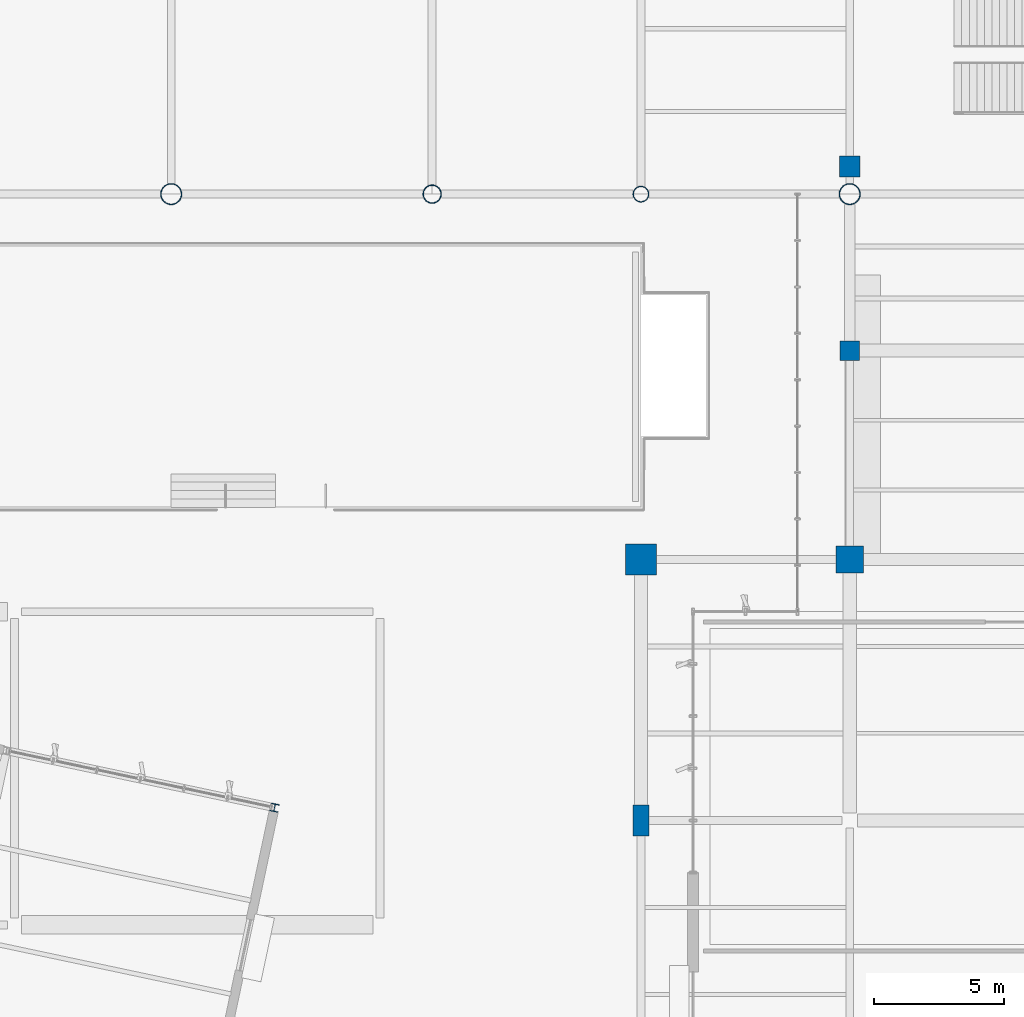
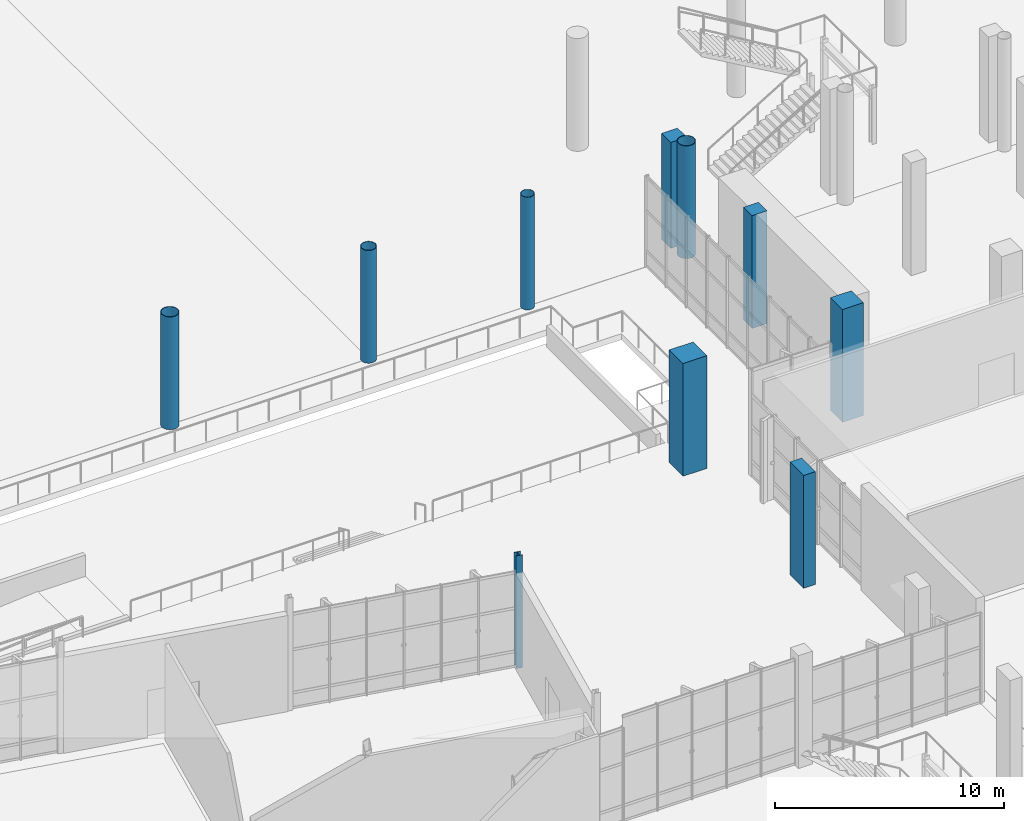
# One storey, part 10 of 163: 10 columns.
"""IFC4 building model written with IfcOpenShell, lengths in metres."""

from ifc_helpers import new_model, si_unit, direction, frame, origin, origin_2d, place, context, subcontext, project, spatial, rectangle, hollow_circle, i_section, extrude, material, material_profile, profile_set, type_object, element, save


model = new_model("IFC4")

# Units and contexts
model_context = context("Model", 3, precision=1e-05, world=origin(), true_north=direction((0.0, 1.0)))
body_context = subcontext(model_context, "Body", "Model", "MODEL_VIEW")
ifc_project = project(units=[si_unit("LENGTHUNIT", "METRE"), si_unit("AREAUNIT", "SQUARE_METRE"), si_unit("VOLUMEUNIT", "CUBIC_METRE"), si_unit("PLANEANGLEUNIT", "RADIAN"), si_unit("MASSUNIT", "GRAM", prefix="KILO")], contexts=[model_context])

# Site, building, storey
site_placement = place(None, origin())
site = spatial("IfcSite", under=ifc_project, at=site_placement, CompositionType="ELEMENT")
building_placement = place(site_placement, origin())
building = spatial("IfcBuilding", under=site, at=building_placement, Name="Khorjan Park Terminus", CompositionType="ELEMENT")
storey_placement = place(building_placement, origin())
storey = spatial("IfcBuildingStorey", under=building, at=storey_placement, Name="L00", CompositionType="ELEMENT", Elevation=0.0)

# Columns
ifc_material_1 = material(Name="Concrete C50/60", Category="concrete")
ifc_material_profile_1 = material_profile(ifc_material_1, rectangle(XDim=0.6, YDim=1.2, at=origin_2d()), Name="RC 600x1200")
ifc_profile_set_1 = profile_set([ifc_material_profile_1], Name="Concrete C50/60")
column_type_1 = type_object("IfcColumnType", Name="COL-BL1200", PredefinedType="COLUMN", material=ifc_profile_set_1)
column_1_placement = place(storey_placement, frame((48.0, 78.0, 0.0), z_axis=(0.0, 0.0, 1.0), x_axis=(1.0, 0.0, 0.0)))
element("IfcColumn", 1, at=column_1_placement, inside=storey, type_object=column_type_1, Name="Structural column C-BL12 (L00 #261)", PredefinedType="COLUMN", context=body_context, shape_type="SweptSolid", body=[
    extrude(rectangle(XDim=0.6, YDim=1.2, at=origin_2d()), origin(), (0.0, 0.0, 1.0), 6.0),
])
ifc_material_2 = material(Name="Steel S355", Category="steel")
ifc_material_profile_2 = material_profile(ifc_material_2, i_section(OverallWidth=0.3, OverallDepth=0.3, WebThickness=0.011, FlangeThickness=0.019, FilletRadius=0.027, at=origin_2d()), Name="HEB 300")
ifc_profile_set_2 = profile_set([ifc_material_profile_2], Name="Steel S355")
column_type_2 = type_object("IfcColumnType", Name="COL-HB300E", PredefinedType="COLUMN", material=ifc_profile_set_2)
column_2_placement = place(storey_placement, frame((33.96, 78.489, 0.0), z_axis=(0.0, 0.0, 1.0), x_axis=(0.978147600734, -0.207911690818, 0.0)))
element("IfcColumn", 2, at=column_2_placement, inside=storey, type_object=column_type_2, Name="Structural column SC-H30 (L00 #651)", PredefinedType="COLUMN", context=body_context, shape_type="SweptSolid", body=[
    extrude(i_section(OverallWidth=0.3, OverallDepth=0.3, WebThickness=0.011, FlangeThickness=0.019, FilletRadius=0.027, at=origin_2d()), origin(), (0.0, 0.0, 1.0), 6.0),
])
ifc_material_profile_3 = material_profile(ifc_material_1, rectangle(XDim=1.05, YDim=1.05, at=origin_2d()), Name="RC 1050x1050")
ifc_profile_set_3 = profile_set([ifc_material_profile_3], Name="Concrete C50/60")
column_type_3 = type_object("IfcColumnType", Name="COL-RC1050", PredefinedType="COLUMN", material=ifc_profile_set_3)
column_3_placement = place(storey_placement, frame((56.0, 88.0, 0.0), z_axis=(0.0, 0.0, 1.0), x_axis=(1.0, 0.0, 0.0)))
element("IfcColumn", 3, at=column_3_placement, inside=storey, type_object=column_type_3, Name="Structural column C-RC105 (L00 #281)", PredefinedType="COLUMN", context=body_context, shape_type="SweptSolid", body=[
    extrude(rectangle(XDim=1.05, YDim=1.05, at=origin_2d()), origin(), (0.0, 0.0, 1.0), 6.0),
])
ifc_material_profile_4 = material_profile(ifc_material_1, rectangle(XDim=1.2, YDim=1.2, at=origin_2d()), Name="RC 1200x1200")
ifc_profile_set_4 = profile_set([ifc_material_profile_4], Name="Concrete C50/60")
column_type_4 = type_object("IfcColumnType", Name="COL-RC1200", PredefinedType="COLUMN", material=ifc_profile_set_4)
column_4_placement = place(storey_placement, frame((48.0, 88.0, 0.0), z_axis=(0.0, 0.0, 1.0), x_axis=(1.0, 0.0, 0.0)))
element("IfcColumn", 4, at=column_4_placement, inside=storey, type_object=column_type_4, Name="Structural column C-RC12 (L00 #266)", PredefinedType="COLUMN", context=body_context, shape_type="SweptSolid", body=[
    extrude(rectangle(XDim=1.2, YDim=1.2, at=origin_2d()), origin(), (0.0, 0.0, 1.0), 6.0),
])
ifc_material_3 = material(Name="Concrete C40/50", Category="concrete")
ifc_material_profile_5 = material_profile(ifc_material_3, rectangle(XDim=0.75, YDim=0.75, at=origin_2d()), Name="RC 750x750")
ifc_profile_set_5 = profile_set([ifc_material_profile_5], Name="Concrete C40/50")
column_type_5 = type_object("IfcColumnType", Name="COL-RC750", PredefinedType="COLUMN", material=ifc_profile_set_5)
column_5_placement = place(storey_placement, frame((56.0, 96.0, 0.0), z_axis=(0.0, 0.0, 1.0), x_axis=(1.0, 0.0, 0.0)))
element("IfcColumn", 5, at=column_5_placement, inside=storey, type_object=column_type_5, Name="Structural column C-RC75 (L00 #507)", PredefinedType="COLUMN", context=body_context, shape_type="SweptSolid", body=[
    extrude(rectangle(XDim=0.75, YDim=0.75, at=origin_2d()), origin(), (0.0, 0.0, 1.0), 6.0),
])
ifc_material_profile_6 = material_profile(ifc_material_3, rectangle(XDim=0.8, YDim=0.8, at=origin_2d()), Name="RC 800x800")
ifc_profile_set_6 = profile_set([ifc_material_profile_6], Name="Concrete C40/50")
column_type_6 = type_object("IfcColumnType", Name="COL-RC800", PredefinedType="COLUMN", material=ifc_profile_set_6)
column_6_placement = place(storey_placement, frame((56.0, 103.06, 0.0), z_axis=(0.0, 0.0, 1.0), x_axis=(1.0, 0.0, 0.0)))
element("IfcColumn", 6, at=column_6_placement, inside=storey, type_object=column_type_6, Name="Structural column C-RC08 (L00 #509)", PredefinedType="COLUMN", context=body_context, shape_type="SweptSolid", body=[
    extrude(rectangle(XDim=0.8, YDim=0.8, at=origin_2d()), origin(), (0.0, 0.0, 1.0), 5.64),
])
ifc_material_profile_7 = material_profile(ifc_material_2, hollow_circle(Radius=0.305, WallThickness=0.02, at=origin_2d()), Name="CHS 610x20")
ifc_profile_set_7 = profile_set([ifc_material_profile_7], Name="Steel S355")
column_type_7 = type_object("IfcColumnType", Name="COL-SH610E", PredefinedType="COLUMN", material=ifc_profile_set_7)
column_7_placement = place(storey_placement, frame((48.0, 102.0, 0.0), z_axis=(0.0, 0.0, 1.0), x_axis=(1.0, 0.0, 0.0)))
element("IfcColumn", 7, at=column_7_placement, inside=storey, type_object=column_type_7, Name="Structural column SC-61 (L00 #62)", PredefinedType="COLUMN", context=body_context, shape_type="SweptSolid", body=[
    extrude(hollow_circle(Radius=0.305, WallThickness=0.02, at=origin_2d()), origin(), (0.0, 0.0, 1.0), 6.0),
])
ifc_material_profile_8 = material_profile(ifc_material_2, hollow_circle(Radius=0.3555, WallThickness=0.025, at=origin_2d()), Name="CHS 711x25")
ifc_profile_set_8 = profile_set([ifc_material_profile_8], Name="Steel S355")
column_type_8 = type_object("IfcColumnType", Name="COL-SH711E", PredefinedType="COLUMN", material=ifc_profile_set_8)
column_8_placement = place(storey_placement, frame((40.0, 102.0, 0.0), z_axis=(0.0, 0.0, 1.0), x_axis=(1.0, 0.0, 0.0)))
element("IfcColumn", 8, at=column_8_placement, inside=storey, type_object=column_type_8, Name="Structural column SC-71 (L00 #50)", PredefinedType="COLUMN", context=body_context, shape_type="SweptSolid", body=[
    extrude(hollow_circle(Radius=0.3555, WallThickness=0.025, at=origin_2d()), origin(), (0.0, 0.0, 1.0), 6.0),
])
ifc_material_profile_9 = material_profile(ifc_material_2, hollow_circle(Radius=0.4065, WallThickness=0.025, at=origin_2d()), Name="CHS 813x25")
ifc_profile_set_9 = profile_set([ifc_material_profile_9], Name="Steel S355")
column_type_9 = type_object("IfcColumnType", Name="COL-SH813E", PredefinedType="COLUMN", material=ifc_profile_set_9)
for number, where, z_axis, x_axis, name in (
    (9, (30.0, 102.0, 0.0), (0.0, 0.0, 1.0), (1.0, 0.0, 0.0), "Structural column SC-81 (L00 #38)"),
    (10, (56.0, 102.0, 0.0), (0.0, 0.0, 1.0), (1.0, 0.0, 0.0), "Structural column SC-81 (L00 #74)"),
):
    element("IfcColumn", number, at=place(storey_placement, frame(where, z_axis=z_axis, x_axis=x_axis)), inside=storey, type_object=column_type_9, Name=name, PredefinedType="COLUMN", context=body_context, shape_type="SweptSolid", body=[
        extrude(hollow_circle(Radius=0.4065, WallThickness=0.025, at=origin_2d()), origin(), (0.0, 0.0, 1.0), 6.0),
    ])

save(model, "model.ifc")
